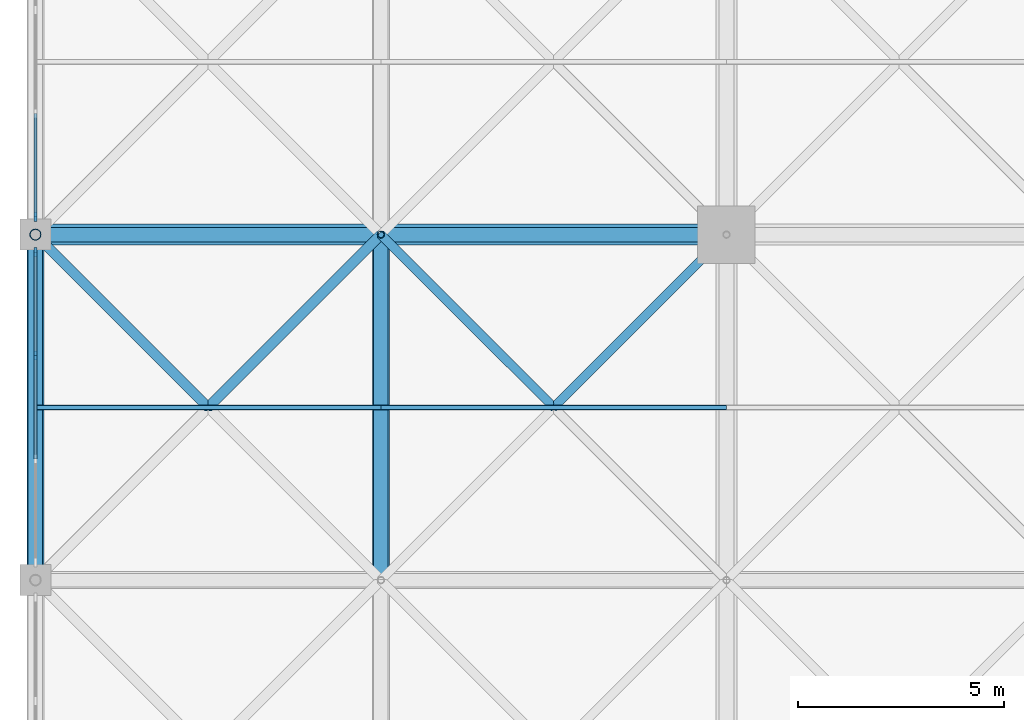
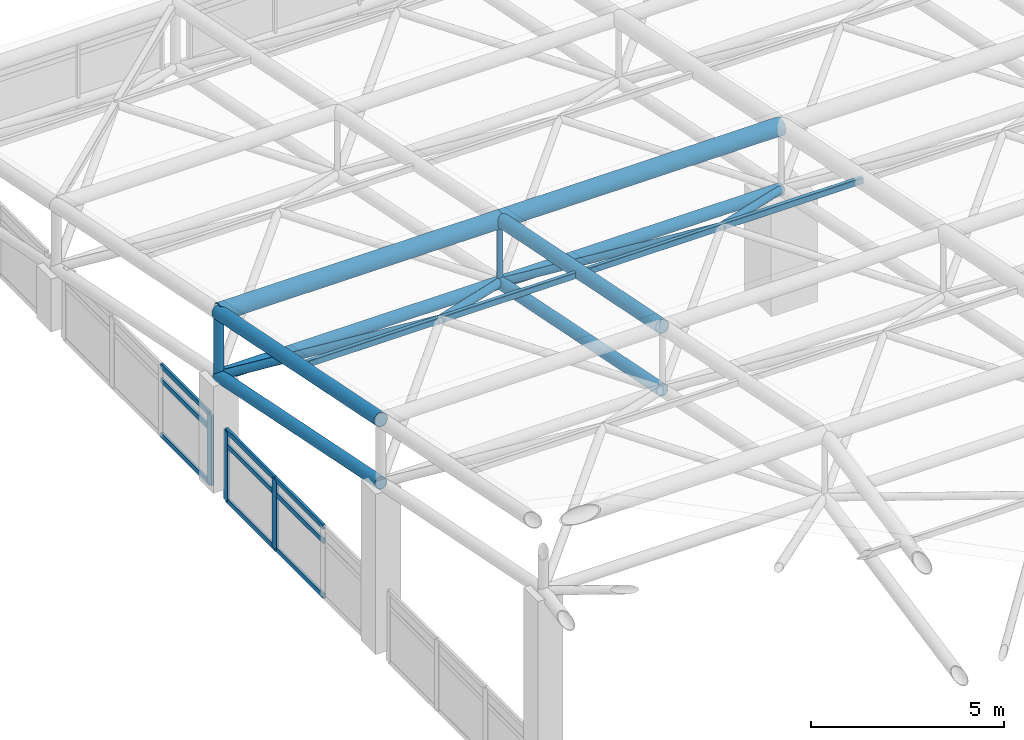
# One storey, part 32 of 81: 28 members, 2 elements without a shape of their own.
"""IFC4 building model written with IfcOpenShell, lengths in metres."""

from ifc_helpers import new_model, si_unit, direction, frame, origin, origin_2d, place, context, subcontext, project, spatial, rectangle, hollow_rectangle, hollow_circle, extrude, material, layer, layer_set, material_profile, profile_set, type_object, element, aggregate, save


model = new_model("IFC4")

# Units and contexts
model_context = context("Model", 3, precision=1e-05, world=origin(), true_north=direction((0.0, 1.0)))
body_context = subcontext(model_context, "Body", "Model", "MODEL_VIEW")
ifc_project = project(units=[si_unit("LENGTHUNIT", "METRE"), si_unit("AREAUNIT", "SQUARE_METRE"), si_unit("VOLUMEUNIT", "CUBIC_METRE"), si_unit("PLANEANGLEUNIT", "RADIAN"), si_unit("MASSUNIT", "GRAM", prefix="KILO")], contexts=[model_context])

# Site, building, storey
site_placement = place(None, origin())
site = spatial("IfcSite", under=ifc_project, at=site_placement, CompositionType="ELEMENT")
building_placement = place(site_placement, origin())
building = spatial("IfcBuilding", under=site, at=building_placement, Name="Qawsi Khor Wholesale Market", CompositionType="ELEMENT")
storey_placement = place(building_placement, frame((0.0, 0.0, 16.199951171875)))
storey = spatial("IfcBuildingStorey", under=building, at=storey_placement, Name="L03", CompositionType="ELEMENT", Elevation=16.199951171875)

# Curtain wall, members
ifc_material_1 = material(Name="Aluminium Anodised Bronze", Category="aluminium")
ifc_layer = layer(ifc_material_1, 0.199951171875, Name="Aluminium Anodised Bronze")
ifc_layer_set = layer_set([ifc_layer], Name="Aluminium Anodised Bronze")
curtain_wall_type = type_object("IfcCurtainWallType", Name="Trading Hall North-Light Curtain Wall CW-03", PredefinedType="NOTDEFINED", material=ifc_layer_set)
curtain_wall_1_placement = place(storey_placement, origin())
curtain_wall_1 = element("IfcCurtainWall", 1, at=curtain_wall_1_placement, inside=storey, type_object=curtain_wall_type, Name="Curtain wall CW-CW-03-L03-139", PredefinedType="NOTDEFINED")
ifc_material_profile_1 = material_profile(ifc_material_1, rectangle(XDim=0.074951171875, YDim=0.219970703125, at=origin_2d()), Name="ALU MULLION 75x220")
ifc_profile_set_1 = profile_set([ifc_material_profile_1], Name="Aluminium Anodised Bronze")
member_type_1 = type_object("IfcMemberType", Name="Curtain Wall Mullion CW-03 ALU MULLION 75x220", PredefinedType="MULLION", material=ifc_profile_set_1)
member_1_placement = place(storey_placement, frame((0.0, 89.459228515625, -0.300048828125), z_axis=(0.0, 0.0, 1.0), x_axis=(1.0, 0.0, 0.0)))
member_1 = element("IfcMember", 2, at=member_1_placement, type_object=member_type_1, Name="Mullion CW-CW-03-L03-139-M02", PredefinedType="MULLION", context=body_context, shape_type="SweptSolid", body=[
    extrude(rectangle(XDim=0.074951171875, YDim=0.219970703125, at=origin_2d()), origin(), (0.0, 0.0, 1.0), 2.2001953125),
])
member_2_placement = place(storey_placement, frame((0.0, 91.9775390625, -0.300048828125), z_axis=(0.0, 0.0, 1.0), x_axis=(1.0, 0.0, 0.0)))
member_2 = element("IfcMember", 3, at=member_2_placement, type_object=member_type_1, Name="Mullion CW-CW-03-L03-139-M03", PredefinedType="MULLION", context=body_context, shape_type="SweptSolid", body=[
    extrude(rectangle(XDim=0.074951171875, YDim=0.219970703125, at=origin_2d()), origin(), (0.0, 0.0, 1.0), 2.2001953125),
])

# Curtain wall, member
curtain_wall_2_placement = place(storey_placement, origin())
curtain_wall_2 = element("IfcCurtainWall", 4, at=curtain_wall_2_placement, inside=storey, type_object=curtain_wall_type, Name="Curtain wall CW-CW-03-L03-141", PredefinedType="NOTDEFINED")
member_3_placement = place(storey_placement, frame((0.0, 92.822509765625, -0.300048828125), z_axis=(0.0, 0.0, 1.0), x_axis=(1.0, 0.0, 0.0)))
member_3 = element("IfcMember", 5, at=member_3_placement, type_object=member_type_1, Name="Mullion CW-CW-03-L03-141-M00", PredefinedType="MULLION", context=body_context, shape_type="SweptSolid", body=[
    extrude(rectangle(XDim=0.074951171875, YDim=0.219970703125, at=origin_2d()), origin(), (0.0, 0.0, 1.0), 2.2001953125),
])

# Member
ifc_material_profile_2 = material_profile(ifc_material_1, rectangle(XDim=0.070068359375, YDim=0.14990234375, at=origin_2d()), Name="ALU TRANSOM 70x150")
ifc_profile_set_2 = profile_set([ifc_material_profile_2], Name="Aluminium Anodised Bronze")
member_type_2 = type_object("IfcMemberType", Name="Curtain Wall Transom CW-03 ALU TRANSOM 70x150", PredefinedType="USERDEFINED", material=ifc_profile_set_2)
member_4_placement = place(storey_placement, frame((0.0, 86.94091796875, -0.280029296875), z_axis=(0.0, 1.0, 0.0), x_axis=(-1.0, 0.0, 0.0)))
member_4 = element("IfcMember", 6, at=member_4_placement, type_object=member_type_2, Name="Transom CW-CW-03-L03-139-T0_01", ObjectType="TRANSOM", PredefinedType="USERDEFINED", context=body_context, shape_type="SweptSolid", body=[
    extrude(rectangle(XDim=0.070068359375, YDim=0.14990234375, at=origin_2d()), origin(), (0.0, 0.0, 1.0), 2.518310546875),
])

member_5_placement = place(storey_placement, frame((0.0, 89.459228515625, -0.280029296875), z_axis=(0.0, 1.0, 0.0), x_axis=(-1.0, 0.0, 0.0)))
member_5 = element("IfcMember", 7, at=member_5_placement, type_object=member_type_2, Name="Transom CW-CW-03-L03-139-T0_02", ObjectType="TRANSOM", PredefinedType="USERDEFINED", context=body_context, shape_type="SweptSolid", body=[
    extrude(rectangle(XDim=0.070068359375, YDim=0.14990234375, at=origin_2d()), origin(), (0.0, 0.0, 1.0), 2.518310546875),
])

member_6_placement = place(storey_placement, frame((0.0, 86.94091796875, 1.449951171875), z_axis=(0.0, 1.0, 0.0), x_axis=(-1.0, 0.0, 0.0)))
member_6 = element("IfcMember", 8, at=member_6_placement, type_object=member_type_2, Name="Transom CW-CW-03-L03-139-T1_01", ObjectType="TRANSOM", PredefinedType="USERDEFINED", context=body_context, shape_type="SweptSolid", body=[
    extrude(rectangle(XDim=0.070068359375, YDim=0.14990234375, at=origin_2d()), origin(), (0.0, 0.0, 1.0), 2.518310546875),
])

member_7_placement = place(storey_placement, frame((0.0, 89.459228515625, 1.449951171875), z_axis=(0.0, 1.0, 0.0), x_axis=(-1.0, 0.0, 0.0)))
member_7 = element("IfcMember", 9, at=member_7_placement, type_object=member_type_2, Name="Transom CW-CW-03-L03-139-T1_02", ObjectType="TRANSOM", PredefinedType="USERDEFINED", context=body_context, shape_type="SweptSolid", body=[
    extrude(rectangle(XDim=0.070068359375, YDim=0.14990234375, at=origin_2d()), origin(), (0.0, 0.0, 1.0), 2.518310546875),
])

member_8_placement = place(storey_placement, frame((0.0, 86.94091796875, 1.900146484375), z_axis=(0.0, 1.0, 0.0), x_axis=(-1.0, 0.0, 0.0)))
member_8 = element("IfcMember", 10, at=member_8_placement, type_object=member_type_2, Name="Transom CW-CW-03-L03-139-T2_01", ObjectType="TRANSOM", PredefinedType="USERDEFINED", context=body_context, shape_type="SweptSolid", body=[
    extrude(rectangle(XDim=0.070068359375, YDim=0.14990234375, at=origin_2d()), origin(), (0.0, 0.0, 1.0), 2.518310546875),
])

member_9_placement = place(storey_placement, frame((0.0, 89.459228515625, 1.900146484375), z_axis=(0.0, 1.0, 0.0), x_axis=(-1.0, 0.0, 0.0)))
member_9 = element("IfcMember", 11, at=member_9_placement, type_object=member_type_2, Name="Transom CW-CW-03-L03-139-T2_02", ObjectType="TRANSOM", PredefinedType="USERDEFINED", context=body_context, shape_type="SweptSolid", body=[
    extrude(rectangle(XDim=0.070068359375, YDim=0.14990234375, at=origin_2d()), origin(), (0.0, 0.0, 1.0), 2.518310546875),
])

aggregate(curtain_wall_1, [member_1, member_2, member_4, member_5, member_6, member_7, member_8, member_9])

member_10_placement = place(storey_placement, frame((0.0, 92.822509765625, -0.280029296875), z_axis=(0.0, 1.0, 0.0), x_axis=(-1.0, 0.0, 0.0)))
member_10 = element("IfcMember", 12, at=member_10_placement, type_object=member_type_2, Name="Transom CW-CW-03-L03-141-T0_00", ObjectType="TRANSOM", PredefinedType="USERDEFINED", context=body_context, shape_type="SweptSolid", body=[
    extrude(rectangle(XDim=0.070068359375, YDim=0.14990234375, at=origin_2d()), origin(), (0.0, 0.0, 1.0), 2.518310546875),
])

member_11_placement = place(storey_placement, frame((0.0, 92.822509765625, 1.449951171875), z_axis=(0.0, 1.0, 0.0), x_axis=(-1.0, 0.0, 0.0)))
member_11 = element("IfcMember", 13, at=member_11_placement, type_object=member_type_2, Name="Transom CW-CW-03-L03-141-T1_00", ObjectType="TRANSOM", PredefinedType="USERDEFINED", context=body_context, shape_type="SweptSolid", body=[
    extrude(rectangle(XDim=0.070068359375, YDim=0.14990234375, at=origin_2d()), origin(), (0.0, 0.0, 1.0), 2.518310546875),
])

member_12_placement = place(storey_placement, frame((0.0, 92.822509765625, 1.900146484375), z_axis=(0.0, 1.0, 0.0), x_axis=(-1.0, 0.0, 0.0)))
member_12 = element("IfcMember", 14, at=member_12_placement, type_object=member_type_2, Name="Transom CW-CW-03-L03-141-T2_00", ObjectType="TRANSOM", PredefinedType="USERDEFINED", context=body_context, shape_type="SweptSolid", body=[
    extrude(rectangle(XDim=0.070068359375, YDim=0.14990234375, at=origin_2d()), origin(), (0.0, 0.0, 1.0), 2.518310546875),
])

aggregate(curtain_wall_2, [member_3, member_10, member_11, member_12])

# Members
ifc_material_2 = material(Name="Steel S355", Category="steel")
ifc_material_profile_3 = material_profile(ifc_material_2, hollow_circle(Radius=0.177734375, WallThickness=0.01611328125, at=origin_2d()), Name="CHS 355.6x16.0")
ifc_profile_set_3 = profile_set([ifc_material_profile_3], Name="Steel S355")
member_type_3 = type_object("IfcMemberType", Name="Space-Frame Bottom Chord CHS 355.6x16.0", PredefinedType="CHORD", material=ifc_profile_set_3)
member_13_placement = place(storey_placement, frame((0.0, 84.0, 5.070068359375), z_axis=(0.0, 0.980129990483, -0.1983562496), x_axis=(-1.0, 0.0, 0.0)))
element("IfcMember", 15, at=member_13_placement, inside=storey, type_object=member_type_3, Name="Space frame bottom chord Y WH (0,10)", PredefinedType="CHORD", context=body_context, shape_type="SweptSolid", body=[
    extrude(hollow_circle(Radius=0.177734375, WallThickness=0.01611328125, at=origin_2d()), origin(), (0.0, 0.0, 1.0), 8.5703125),
])
member_14_placement = place(storey_placement, frame((0.0, 92.39990234375, 3.3701171875), z_axis=(1.0, 0.0, 0.0), x_axis=(0.0, 1.0, 0.0)))
element("IfcMember", 16, at=member_14_placement, inside=storey, type_object=member_type_3, Name="Space frame bottom chord X WH (0,11)", PredefinedType="CHORD", context=body_context, shape_type="SweptSolid", body=[
    extrude(hollow_circle(Radius=0.177734375, WallThickness=0.01611328125, at=origin_2d()), origin(), (0.0, 0.0, 1.0), 8.39990234375),
])
member_15_placement = place(storey_placement, frame((8.39990234375, 84.0, 5.070068359375), z_axis=(0.0, 0.980129990483, -0.1983562496), x_axis=(-1.0, 0.0, 0.0)))
element("IfcMember", 17, at=member_15_placement, inside=storey, type_object=member_type_3, Name="Space frame bottom chord Y WH (1,10)", PredefinedType="CHORD", context=body_context, shape_type="SweptSolid", body=[
    extrude(hollow_circle(Radius=0.177734375, WallThickness=0.01611328125, at=origin_2d()), origin(), (0.0, 0.0, 1.0), 8.5703125),
])
member_16_placement = place(storey_placement, frame((8.39990234375, 92.39990234375, 3.3701171875), z_axis=(1.0, 0.0, 0.0), x_axis=(0.0, 1.0, 0.0)))
element("IfcMember", 18, at=member_16_placement, inside=storey, type_object=member_type_3, Name="Space frame bottom chord X WH (1,11)", PredefinedType="CHORD", context=body_context, shape_type="SweptSolid", body=[
    extrude(hollow_circle(Radius=0.177734375, WallThickness=0.01611328125, at=origin_2d()), origin(), (0.0, 0.0, 1.0), 8.400146484375),
])
ifc_material_profile_4 = material_profile(ifc_material_2, hollow_circle(Radius=0.136474609375, WallThickness=0.012451171875, at=origin_2d()), Name="CHS 273.0x12.5")
ifc_profile_set_4 = profile_set([ifc_material_profile_4], Name="Steel S355")
member_type_4 = type_object("IfcMemberType", Name="Space-Frame Edge Post CHS 273.0x12.5", PredefinedType="POST", material=ifc_profile_set_4)
member_17_placement = place(storey_placement, frame((0.0, 92.39990234375, 3.3701171875), z_axis=(0.0, 0.0, 1.0), x_axis=(1.0, 0.0, 0.0)))
element("IfcMember", 19, at=member_17_placement, inside=storey, type_object=member_type_4, Name="Space frame post WH (0,11)", PredefinedType="POST", context=body_context, shape_type="SweptSolid", body=[
    extrude(hollow_circle(Radius=0.136474609375, WallThickness=0.012451171875, at=origin_2d()), origin(), (0.0, 0.0, 1.0), 2.0),
])
ifc_material_profile_5 = material_profile(ifc_material_2, hollow_circle(Radius=0.122314453125, WallThickness=0.012451171875, at=origin_2d()), Name="CHS 244.5x12.5")
ifc_profile_set_5 = profile_set([ifc_material_profile_5], Name="Steel S355")
member_type_5 = type_object("IfcMemberType", Name="Space-Frame Heavy Diagonal CHS 244.5x12.5", PredefinedType="POST", material=ifc_profile_set_5)
for number, where, z_axis, x_axis, name in (
    (20, (8.39990234375, 92.39990234375, 3.3701171875), (-0.637521961484, -0.637521961484, 0.432586982294), (0.707106781187, -0.707106781187, 0.0), "Space frame diagonal WH (0,10)-3"),
    (21, (0.0, 92.39990234375, 3.3701171875), (0.637521961484, -0.637521961484, 0.432586982294), (0.707106781187, 0.707106781187, 0.0), "Space frame diagonal WH (0,10)-4"),
):
    element("IfcMember", number, at=place(storey_placement, frame(where, z_axis=z_axis, x_axis=x_axis)), inside=storey, type_object=member_type_5, Name=name, PredefinedType="POST", context=body_context, shape_type="SweptSolid", body=[
        extrude(hollow_circle(Radius=0.122314453125, WallThickness=0.012451171875, at=origin_2d()), origin(), (0.0, 0.0, 1.0), 6.587890625),
    ])
ifc_material_profile_6 = material_profile(ifc_material_2, hollow_rectangle(XDim=0.1201171875, YDim=0.199951171875, WallThickness=0.008056640625, InnerFilletRadius=0.008056640625, OuterFilletRadius=0.01611328125, at=origin_2d()), Name="RHS 200x120x8.0")
ifc_profile_set_6 = profile_set([ifc_material_profile_6], Name="Steel S355")
member_type_6 = type_object("IfcMemberType", Name="Space-Frame Heavy Purlin RHS 200x120x8.0", PredefinedType="PURLIN", material=ifc_profile_set_6)
member_18_placement = place(storey_placement, frame((0.0, 88.199951171875, 6.219970703125), z_axis=(1.0, 0.0, 0.0), x_axis=(0.0, 1.0, 0.0)))
element("IfcMember", 22, at=member_18_placement, inside=storey, type_object=member_type_6, Name="Space frame purlin WH (0,10)", PredefinedType="PURLIN", context=body_context, shape_type="SweptSolid", body=[
    extrude(hollow_rectangle(XDim=0.1201171875, YDim=0.199951171875, WallThickness=0.008056640625, InnerFilletRadius=0.008056640625, OuterFilletRadius=0.01611328125, at=origin_2d()), origin(), (0.0, 0.0, 1.0), 8.39990234375),
])
member_19_placement = place(storey_placement, frame((8.39990234375, 88.199951171875, 6.219970703125), z_axis=(1.0, 0.0, 0.0), x_axis=(0.0, 1.0, 0.0)))
element("IfcMember", 23, at=member_19_placement, inside=storey, type_object=member_type_6, Name="Space frame purlin WH (1,10)", PredefinedType="PURLIN", context=body_context, shape_type="SweptSolid", body=[
    extrude(hollow_rectangle(XDim=0.1201171875, YDim=0.199951171875, WallThickness=0.008056640625, InnerFilletRadius=0.008056640625, OuterFilletRadius=0.01611328125, at=origin_2d()), origin(), (0.0, 0.0, 1.0), 8.400146484375),
])
ifc_material_profile_7 = material_profile(ifc_material_2, hollow_circle(Radius=0.109619140625, WallThickness=0.010009765625, at=origin_2d()), Name="CHS 219.1x10.0")
ifc_profile_set_7 = profile_set([ifc_material_profile_7], Name="Steel S355")
member_type_7 = type_object("IfcMemberType", Name="Space-Frame Inner Diagonal CHS 219.1x10.0", PredefinedType="RAFTER", material=ifc_profile_set_7)
member_20_placement = place(storey_placement, frame((16.800048828125, 92.39990234375, 3.3701171875), z_axis=(-0.637521961484, -0.637521961484, 0.432586982294), x_axis=(0.707106781187, -0.707106781187, 0.0)))
element("IfcMember", 24, at=member_20_placement, inside=storey, type_object=member_type_7, Name="Space frame diagonal WH (1,10)-3", PredefinedType="RAFTER", context=body_context, shape_type="SweptSolid", body=[
    extrude(hollow_circle(Radius=0.109619140625, WallThickness=0.010009765625, at=origin_2d()), origin(), (0.0, 0.0, 1.0), 6.587890625),
])
member_21_placement = place(storey_placement, frame((8.39990234375, 92.39990234375, 3.3701171875), z_axis=(0.637543957519, -0.637506899628, 0.432576762155), x_axis=(0.70708622964, 0.707127332136, 0.0)))
element("IfcMember", 25, at=member_21_placement, inside=storey, type_object=member_type_7, Name="Space frame diagonal WH (1,10)-4", PredefinedType="RAFTER", context=body_context, shape_type="SweptSolid", body=[
    extrude(hollow_circle(Radius=0.109619140625, WallThickness=0.010009765625, at=origin_2d()), origin(), (0.0, 0.0, 1.0), 6.588134765625),
])
ifc_material_profile_8 = material_profile(ifc_material_2, hollow_circle(Radius=0.25390625, WallThickness=0.02490234375, at=origin_2d()), Name="CHS 508.0x25.0")
ifc_profile_set_8 = profile_set([ifc_material_profile_8], Name="Steel S355")
member_type_8 = type_object("IfcMemberType", Name="Space-Frame Main Chord CHS 508.0x25.0", PredefinedType="CHORD", material=ifc_profile_set_8)
member_22_placement = place(storey_placement, frame((0.0, 92.39990234375, 5.3701171875), z_axis=(1.0, 0.0, 0.0), x_axis=(0.0, 1.0, 0.0)))
element("IfcMember", 26, at=member_22_placement, inside=storey, type_object=member_type_8, Name="Space frame top chord X WH (0,11)", PredefinedType="CHORD", context=body_context, shape_type="SweptSolid", body=[
    extrude(hollow_circle(Radius=0.25390625, WallThickness=0.02490234375, at=origin_2d()), origin(), (0.0, 0.0, 1.0), 8.39990234375),
])
member_23_placement = place(storey_placement, frame((8.39990234375, 92.39990234375, 5.3701171875), z_axis=(1.0, 0.0, 0.0), x_axis=(0.0, 1.0, 0.0)))
element("IfcMember", 27, at=member_23_placement, inside=storey, type_object=member_type_8, Name="Space frame top chord X WH (1,11)", PredefinedType="CHORD", context=body_context, shape_type="SweptSolid", body=[
    extrude(hollow_circle(Radius=0.25390625, WallThickness=0.02490234375, at=origin_2d()), origin(), (0.0, 0.0, 1.0), 8.400146484375),
])
ifc_material_profile_9 = material_profile(ifc_material_2, hollow_circle(Radius=0.203125, WallThickness=0.02001953125, at=origin_2d()), Name="CHS 406.4x20.0")
ifc_profile_set_9 = profile_set([ifc_material_profile_9], Name="Steel S355")
member_type_9 = type_object("IfcMemberType", Name="Space-Frame Top Chord CHS 406.4x20.0", PredefinedType="CHORD", material=ifc_profile_set_9)
for number, where, z_axis, x_axis, name in (
    (28, (0.0, 84.0, 7.070068359375), (0.0, 0.980129990483, -0.1983562496), (-1.0, 0.0, 0.0), "Space frame top chord Y WH (0,10)"),
    (29, (8.39990234375, 84.0, 7.070068359375), (0.0, 0.980129990483, -0.1983562496), (-1.0, 0.0, 0.0), "Space frame top chord Y WH (1,10)"),
):
    element("IfcMember", number, at=place(storey_placement, frame(where, z_axis=z_axis, x_axis=x_axis)), inside=storey, type_object=member_type_9, Name=name, PredefinedType="CHORD", context=body_context, shape_type="SweptSolid", body=[
        extrude(hollow_circle(Radius=0.203125, WallThickness=0.02001953125, at=origin_2d()), origin(), (0.0, 0.0, 1.0), 8.5703125),
    ])
ifc_material_profile_10 = material_profile(ifc_material_2, hollow_circle(Radius=0.084228515625, WallThickness=0.008056640625, at=origin_2d()), Name="CHS 168.3x8.0")
ifc_profile_set_10 = profile_set([ifc_material_profile_10], Name="Steel S355")
member_type_10 = type_object("IfcMemberType", Name="Space-Frame Vertical Strut CHS 168.3x8.0", PredefinedType="STRUT", material=ifc_profile_set_10)
member_24_placement = place(storey_placement, frame((8.39990234375, 92.39990234375, 3.3701171875), z_axis=(0.0, 0.0, 1.0), x_axis=(1.0, 0.0, 0.0)))
element("IfcMember", 30, at=member_24_placement, inside=storey, type_object=member_type_10, Name="Space frame post WH (1,11)", PredefinedType="STRUT", context=body_context, shape_type="SweptSolid", body=[
    extrude(hollow_circle(Radius=0.084228515625, WallThickness=0.008056640625, at=origin_2d()), origin(), (0.0, 0.0, 1.0), 2.0),
])

save(model, "model.ifc")
